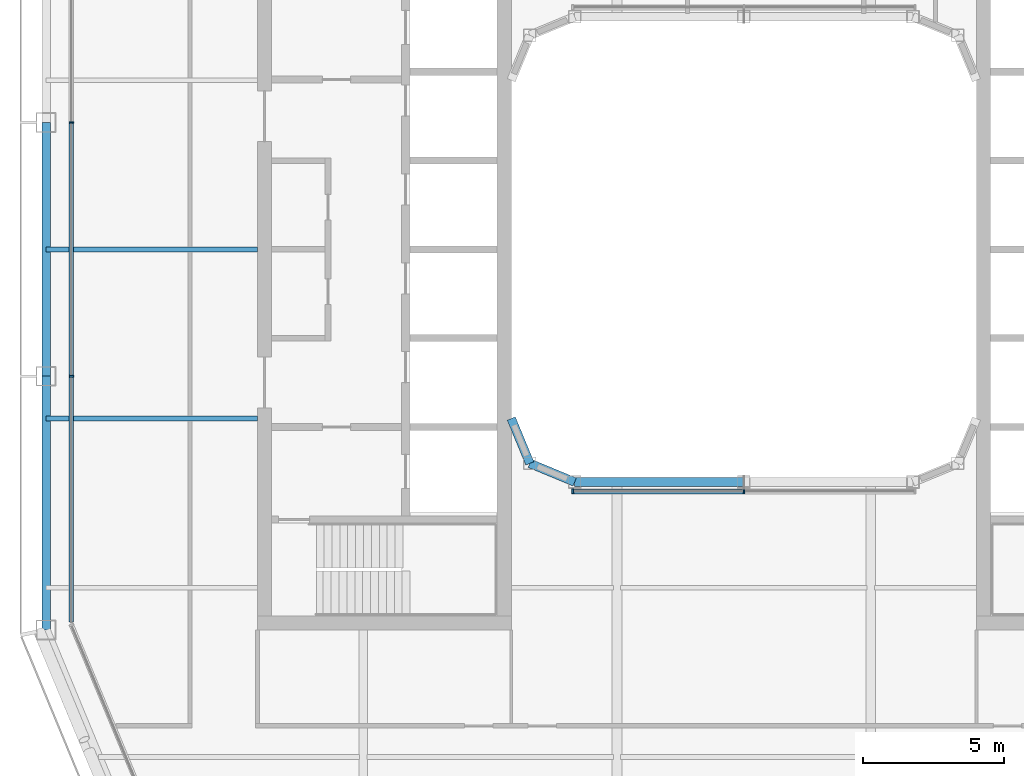
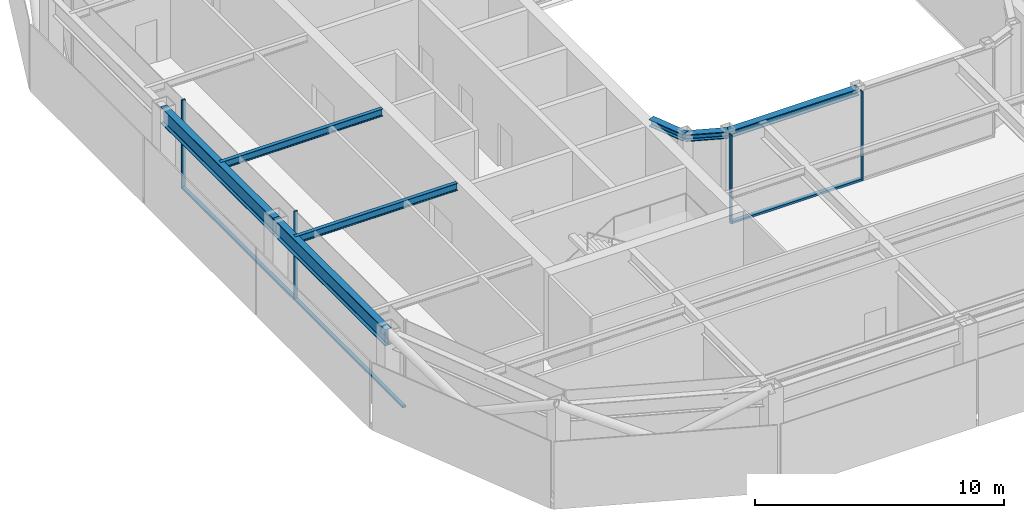
# One storey, part 4 of 21: 7 beams, 7 members, 2 elements without a shape of their own.
"""IFC4 building model written with IfcOpenShell, lengths in metres."""

from ifc_helpers import new_model, si_unit, direction, frame, origin, origin_2d, place, context, subcontext, project, spatial, rectangle, i_section, extrude, material, layer, layer_set, material_profile, profile_set, type_object, element, aggregate, save


model = new_model("IFC4")

# Units and contexts
model_context = context("Model", 3, precision=1e-05, world=origin(), true_north=direction((0.0, 1.0)))
body_context = subcontext(model_context, "Body", "Model", "MODEL_VIEW")
ifc_project = project(units=[si_unit("LENGTHUNIT", "METRE"), si_unit("AREAUNIT", "SQUARE_METRE"), si_unit("VOLUMEUNIT", "CUBIC_METRE"), si_unit("PLANEANGLEUNIT", "RADIAN"), si_unit("MASSUNIT", "GRAM", prefix="KILO")], contexts=[model_context])

# Site, building, storey
site_placement = place(None, origin())
site = spatial("IfcSite", under=ifc_project, at=site_placement, CompositionType="ELEMENT")
building_placement = place(site_placement, origin())
building = spatial("IfcBuilding", under=site, at=building_placement, Name="Siwar Civic Tower", CompositionType="ELEMENT")
storey_placement = place(building_placement, frame((0.0, 0.0, 339.199951171875)))
storey = spatial("IfcBuildingStorey", under=building, at=storey_placement, Name="L73", CompositionType="ELEMENT", Elevation=339.199951171875)

# Curtain wall, members
ifc_material_1 = material(Name="Aluminium and glass", Category="aluminium")
ifc_layer_1 = layer(ifc_material_1, 0.159912109375)
ifc_layer_set_1 = layer_set([ifc_layer_1], Name="Aluminium and glass")
curtain_wall_type_1 = type_object("IfcCurtainWallType", Name="ENV-CW-D", PredefinedType="NOTDEFINED", material=ifc_layer_set_1)
curtain_wall_1_placement = place(storey_placement, origin())
curtain_wall_1 = element("IfcCurtainWall", 1, at=curtain_wall_1_placement, inside=storey, type_object=curtain_wall_type_1, Name="Curtain wall D W", PredefinedType="NOTDEFINED")
ifc_material_2 = material(Name="Aluminium 6063-T6", Category="aluminium")
ifc_material_profile_1 = material_profile(ifc_material_2, rectangle(XDim=0.159912109375, YDim=0.06005859375, at=origin_2d()), Name="AL 160x60")
ifc_profile_set_1 = profile_set([ifc_material_profile_1], Name="Aluminium 6063-T6")
member_type_1 = type_object("IfcMemberType", Name="ENV-MULLION-D", PredefinedType="MULLION", material=ifc_profile_set_1)
member_1_placement = place(storey_placement, frame((-23.85009765625, 4.5, 0.0), z_axis=(0.0, 0.0, 1.0), x_axis=(1.0, 0.0, 0.0)))
member_1 = element("IfcMember", 2, at=member_1_placement, type_object=member_type_1, Name="Mullion D W 2", PredefinedType="MULLION", context=body_context, shape_type="SweptSolid", body=[
    extrude(rectangle(XDim=0.159912109375, YDim=0.06005859375, at=origin_2d()), origin(), (0.0, 0.0, 1.0), 4.35009765625),
])
member_2_placement = place(storey_placement, frame((-23.85009765625, -4.5, 0.0), z_axis=(0.0, 0.0, 1.0), x_axis=(1.0, 0.0, 0.0)))
member_2 = element("IfcMember", 3, at=member_2_placement, type_object=member_type_1, Name="Mullion D W 3", PredefinedType="MULLION", context=body_context, shape_type="SweptSolid", body=[
    extrude(rectangle(XDim=0.159912109375, YDim=0.06005859375, at=origin_2d()), origin(), (0.0, 0.0, 1.0), 4.35009765625),
])

ifc_material_3 = material(Name="Aluminium and glass", Category="aluminium")
ifc_layer_2 = layer(ifc_material_3, 0.179931640625)
ifc_layer_set_2 = layer_set([ifc_layer_2], Name="Aluminium and glass")
curtain_wall_type_2 = type_object("IfcCurtainWallType", Name="ENV-CW-W", PredefinedType="NOTDEFINED", material=ifc_layer_set_2)
curtain_wall_2_placement = place(storey_placement, origin())
curtain_wall_2 = element("IfcCurtainWall", 4, at=curtain_wall_2_placement, inside=storey, type_object=curtain_wall_type_2, Name="Curtain wall W WS", PredefinedType="NOTDEFINED")
ifc_material_4 = material(Name="Aluminium 6063-T6", Category="aluminium")
ifc_material_profile_2 = material_profile(ifc_material_4, rectangle(XDim=0.179931640625, YDim=0.06005859375, at=origin_2d()), Name="AL 180x60")
ifc_profile_set_2 = profile_set([ifc_material_profile_2], Name="Aluminium 6063-T6")
member_type_2 = type_object("IfcMemberType", Name="ENV-MULLION-W", PredefinedType="MULLION", material=ifc_profile_set_2)
member_3_placement = place(storey_placement, frame((-6.066650390625, -8.5849609375, 0.0), z_axis=(0.0, 0.0, 1.0), x_axis=(0.0, 1.0, 0.0)))
member_3 = element("IfcMember", 5, at=member_3_placement, type_object=member_type_2, Name="Mullion W WS 1", PredefinedType="MULLION", context=body_context, shape_type="SweptSolid", body=[
    extrude(rectangle(XDim=0.179931640625, YDim=0.06005859375, at=origin_2d()), origin(), (0.0, 0.0, 1.0), 4.35009765625),
])
member_4_placement = place(storey_placement, frame((0.0, -8.5849609375, 0.0), z_axis=(0.0, 0.0, 1.0), x_axis=(0.0, 1.0, 0.0)))
member_4 = element("IfcMember", 6, at=member_4_placement, type_object=member_type_2, Name="Mullion W WS 2", PredefinedType="MULLION", context=body_context, shape_type="SweptSolid", body=[
    extrude(rectangle(XDim=0.179931640625, YDim=0.06005859375, at=origin_2d()), origin(), (0.0, 0.0, 1.0), 4.35009765625),
])

# Member
ifc_material_5 = material(Name="Aluminium 6063-T6", Category="aluminium")
ifc_material_profile_3 = material_profile(ifc_material_5, rectangle(XDim=0.159912109375, YDim=0.10009765625, at=origin_2d()), Name="AL 160x100")
ifc_profile_set_3 = profile_set([ifc_material_profile_3], Name="Aluminium 6063-T6")
member_type_3 = type_object("IfcMemberType", Name="ENV-TRANSOM-D", PredefinedType="USERDEFINED", material=ifc_profile_set_3)
member_5_placement = place(storey_placement, frame((-23.85009765625, 4.469970703125, 0.050048828125), z_axis=(0.0, -1.0, 0.0), x_axis=(1.0, 0.0, 0.0)))
member_5 = element("IfcMember", 7, at=member_5_placement, type_object=member_type_3, Name="Transom D W 2", ObjectType="TRANSOM", PredefinedType="USERDEFINED", context=body_context, shape_type="SweptSolid", body=[
    extrude(rectangle(XDim=0.159912109375, YDim=0.10009765625, at=origin_2d()), origin(), (0.0, 0.0, 1.0), 8.93994140625),
])

member_6_placement = place(storey_placement, frame((-23.85009765625, -4.530029296875, 0.050048828125), z_axis=(0.0, -1.0, 0.0), x_axis=(1.0, 0.0, 0.0)))
member_6 = element("IfcMember", 8, at=member_6_placement, type_object=member_type_3, Name="Transom D W 3", ObjectType="TRANSOM", PredefinedType="USERDEFINED", context=body_context, shape_type="SweptSolid", body=[
    extrude(rectangle(XDim=0.159912109375, YDim=0.10009765625, at=origin_2d()), origin(), (0.0, 0.0, 1.0), 8.693115234375),
])

aggregate(curtain_wall_1, [member_1, member_2, member_5, member_6])

ifc_material_6 = material(Name="Aluminium 6063-T6", Category="aluminium")
ifc_material_profile_4 = material_profile(ifc_material_6, rectangle(XDim=0.179931640625, YDim=0.10009765625, at=origin_2d()), Name="AL 180x100")
ifc_profile_set_4 = profile_set([ifc_material_profile_4], Name="Aluminium 6063-T6")
member_type_4 = type_object("IfcMemberType", Name="ENV-TRANSOM-W", PredefinedType="USERDEFINED", material=ifc_profile_set_4)
member_7_placement = place(storey_placement, frame((-6.03662109375, -8.5849609375, 0.050048828125), z_axis=(1.0, 0.0, 0.0), x_axis=(0.0, 1.0, 0.0)))
member_7 = element("IfcMember", 9, at=member_7_placement, type_object=member_type_4, Name="Transom W WS 1", ObjectType="TRANSOM", PredefinedType="USERDEFINED", context=body_context, shape_type="SweptSolid", body=[
    extrude(rectangle(XDim=0.179931640625, YDim=0.10009765625, at=origin_2d()), origin(), (0.0, 0.0, 1.0), 6.006591796875),
])

aggregate(curtain_wall_2, [member_3, member_4, member_7])

# Beams
ifc_material_7 = material(Name="Steel S355", Category="steel")
ifc_material_profile_5 = material_profile(ifc_material_7, i_section(OverallWidth=0.169921875, OverallDepth=0.360107421875, WebThickness=0.008056640625, FlangeThickness=0.0126953125, FilletRadius=0.01806640625, at=origin_2d()), Name="IPE360")
ifc_profile_set_5 = profile_set([ifc_material_profile_5], Name="Steel S355")
beam_type_1 = type_object("IfcBeamType", Name="STR-FB-IPE360", PredefinedType="JOIST", material=ifc_profile_set_5)
for number, where, z_axis, x_axis, name in (
    (10, (-24.75, -6.0, 4.170166015625), (1.0, 0.0, 0.0), (0.0, 1.0, 0.0), "L73/bm/F016"),
    (11, (-24.75, 0.0, 4.170166015625), (1.0, 0.0, 0.0), (0.0, 1.0, 0.0), "L73/bm/F018"),
):
    element("IfcBeam", number, at=place(storey_placement, frame(where, z_axis=z_axis, x_axis=x_axis)), inside=storey, type_object=beam_type_1, Name=name, PredefinedType="JOIST", context=body_context, shape_type="SweptSolid", body=[
        extrude(i_section(OverallWidth=0.169921875, OverallDepth=0.360107421875, WebThickness=0.008056640625, FlangeThickness=0.0126953125, FilletRadius=0.01806640625, at=origin_2d()), origin(), (0.0, 0.0, 1.0), 7.5),
    ])
ifc_material_8 = material(Name="Steel S355", Category="steel")
ifc_material_profile_6 = material_profile(ifc_material_8, i_section(OverallWidth=0.31005859375, OverallDepth=0.340087890625, WebThickness=0.02099609375, FlangeThickness=0.0390625, FilletRadius=0.027099609375, at=origin_2d()), Name="HEM300")
ifc_profile_set_6 = profile_set([ifc_material_profile_6], Name="Steel S355")
beam_type_2 = type_object("IfcBeamType", Name="STR-RB-HEM300", PredefinedType="BEAM", material=ifc_profile_set_6)
beam_1_placement = place(storey_placement, frame((-7.591064453125, -7.591064453125, 4.179931640625), z_axis=(0.923901072997, -0.382631424892, 0.0), x_axis=(0.382631424892, 0.923901072997, 0.0)))
element("IfcBeam", 12, at=beam_1_placement, inside=storey, type_object=beam_type_2, Name="L73/bm/RS0", PredefinedType="BEAM", context=body_context, shape_type="SweptSolid", body=[
    extrude(i_section(OverallWidth=0.31005859375, OverallDepth=0.340087890625, WebThickness=0.02099609375, FlangeThickness=0.0390625, FilletRadius=0.027099609375, at=origin_2d()), origin(), (0.0, 0.0, 1.0), 1.72216796875),
])
beam_2_placement = place(storey_placement, frame((-6.0, -8.25, 4.179931640625), z_axis=(1.0, 0.0, 0.0), x_axis=(0.0, 1.0, 0.0)))
element("IfcBeam", 13, at=beam_2_placement, inside=storey, type_object=beam_type_2, Name="L73/bm/RS1", PredefinedType="BEAM", context=body_context, shape_type="SweptSolid", body=[
    extrude(i_section(OverallWidth=0.31005859375, OverallDepth=0.340087890625, WebThickness=0.02099609375, FlangeThickness=0.0390625, FilletRadius=0.027099609375, at=origin_2d()), origin(), (0.0, 0.0, 1.0), 6.0),
])
beam_3_placement = place(storey_placement, frame((-7.591064453125, -7.591064453125, 4.179931640625), z_axis=(-0.382631424892, 0.923901072997, 0.0), x_axis=(-0.923901072997, -0.382631424892, 0.0)))
element("IfcBeam", 14, at=beam_3_placement, inside=storey, type_object=beam_type_2, Name="L73/bm/RSEW", PredefinedType="BEAM", context=body_context, shape_type="SweptSolid", body=[
    extrude(i_section(OverallWidth=0.31005859375, OverallDepth=0.340087890625, WebThickness=0.02099609375, FlangeThickness=0.0390625, FilletRadius=0.027099609375, at=origin_2d()), origin(), (0.0, 0.0, 1.0), 1.72216796875),
])
ifc_material_9 = material(Name="Steel S355", Category="steel")
ifc_material_profile_7 = material_profile(ifc_material_9, i_section(OverallWidth=0.300048828125, OverallDepth=0.800048828125, WebThickness=0.017578125, FlangeThickness=0.032958984375, FilletRadius=0.030029296875, at=origin_2d()), Name="HEB800")
ifc_profile_set_7 = profile_set([ifc_material_profile_7], Name="Steel S355")
beam_type_3 = type_object("IfcBeamType", Name="STR-SB-HEB800", PredefinedType="BEAM", material=ifc_profile_set_7)
for number, where, z_axis, x_axis, name in (
    (15, (-24.75, 4.5, 3.949951171875), (0.0, -1.0, 0.0), (1.0, 0.0, 0.0), "L73/bm/SW-1"),
    (16, (-24.75, -4.5, 3.949951171875), (0.0, -1.0, 0.0), (1.0, 0.0, 0.0), "L73/bm/SW-2"),
):
    element("IfcBeam", number, at=place(storey_placement, frame(where, z_axis=z_axis, x_axis=x_axis)), inside=storey, type_object=beam_type_3, Name=name, PredefinedType="BEAM", context=body_context, shape_type="SweptSolid", body=[
        extrude(i_section(OverallWidth=0.300048828125, OverallDepth=0.800048828125, WebThickness=0.017578125, FlangeThickness=0.032958984375, FilletRadius=0.030029296875, at=origin_2d()), origin(), (0.0, 0.0, 1.0), 9.0),
    ])

save(model, "model.ifc")
